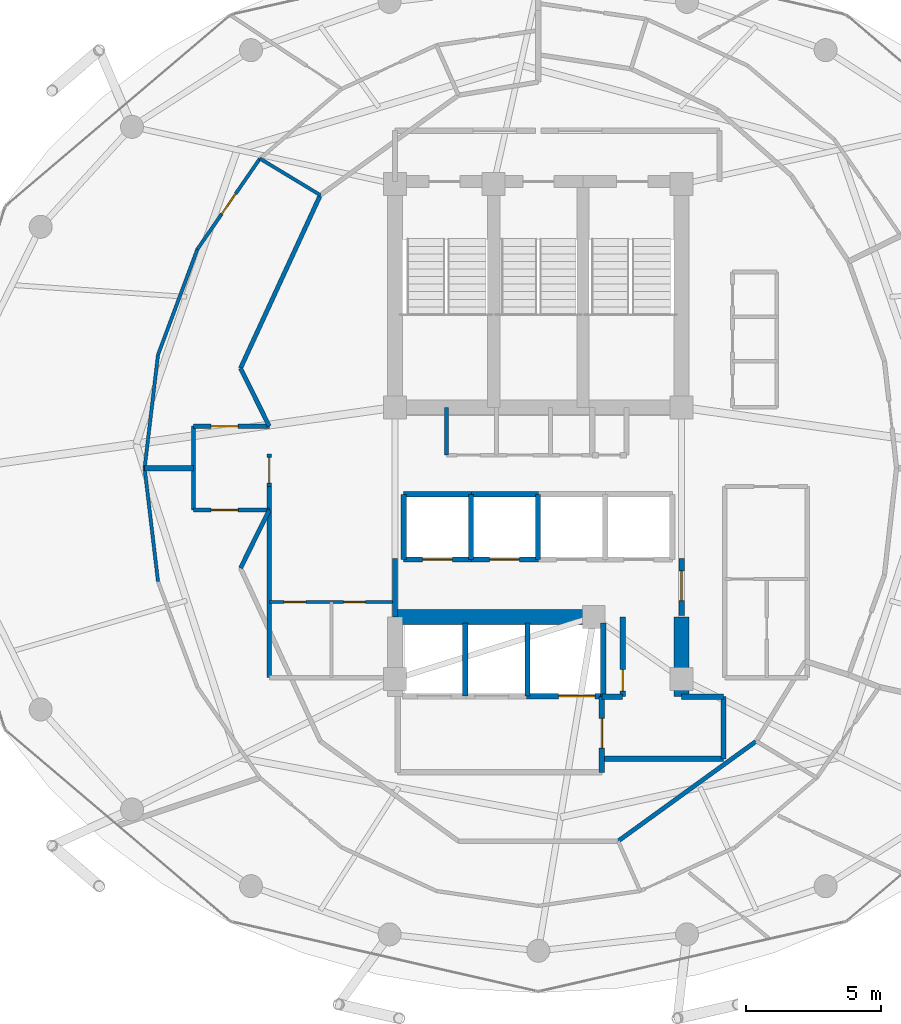
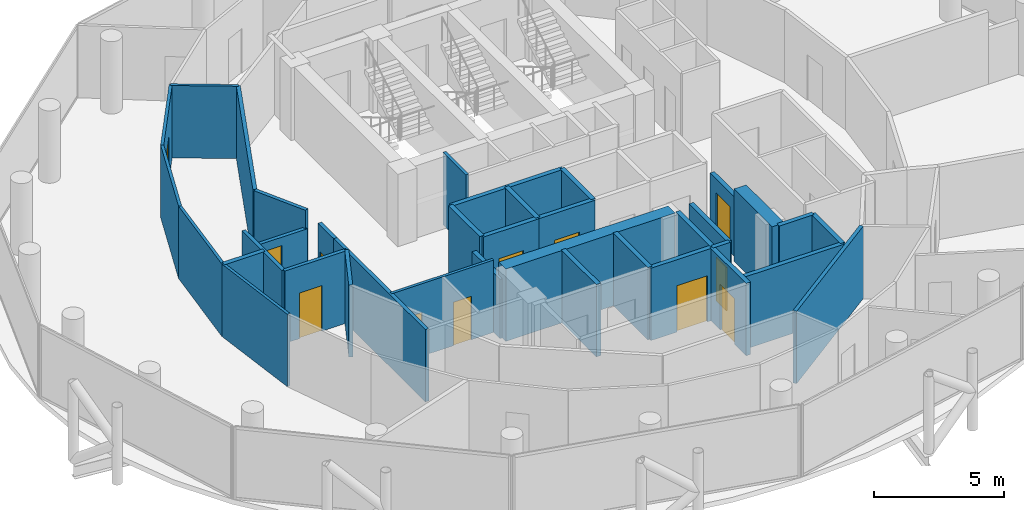
# One storey, part 23 of 27: 38 walls, 12 doors, 12 openings.
"""IFC4 building model written with IfcOpenShell, lengths in metres."""

from ifc_helpers import new_model, si_unit, direction, frame, frame_2d, origin, place, context, subcontext, project, spatial, rectangle, extrude, material, layer, layer_set, type_object, element, fill, save


model = new_model("IFC4")

# Units and contexts
model_context = context("Model", 3, precision=1e-05, world=origin(), true_north=direction((0.0, 1.0)))
body_context = subcontext(model_context, "Body", "Model", "MODEL_VIEW")
ifc_project = project(units=[si_unit("LENGTHUNIT", "METRE"), si_unit("AREAUNIT", "SQUARE_METRE"), si_unit("VOLUMEUNIT", "CUBIC_METRE"), si_unit("PLANEANGLEUNIT", "RADIAN"), si_unit("MASSUNIT", "GRAM", prefix="KILO")], contexts=[model_context])

# Site, building, storey
site_placement = place(None, origin())
site = spatial("IfcSite", under=ifc_project, at=site_placement, CompositionType="ELEMENT")
building_placement = place(site_placement, origin())
building = spatial("IfcBuilding", under=site, at=building_placement, Name="Nuhasar Tower", CompositionType="ELEMENT")
storey_placement = place(building_placement, frame((0.0, 0.0, 237.35009765625)))
storey = spatial("IfcBuildingStorey", under=building, at=storey_placement, Name="L58", CompositionType="ELEMENT", Elevation=237.35009765625)

# Walls
ifc_material_1 = material(Name="Concrete C55/67", Category="concrete")
ifc_layer_1 = layer(ifc_material_1, 0.550048828125)
ifc_layer_set_1 = layer_set([ifc_layer_1], Name="Concrete C55/67")
wall_type_1 = type_object("IfcWallType", Name="WL-CORE-550", PredefinedType="SHEAR", material=ifc_layer_set_1)
wall_1_placement = place(storey_placement, frame((44.300048828125, 18.35009765625, 0.0), z_axis=(0.0, 0.0, 1.0), x_axis=(0.0, 1.0, 0.0)))
element("IfcWall", 1, at=wall_1_placement, inside=storey, type_object=wall_type_1, Name="L58 Core Shear Wall CW-SE CW-550", PredefinedType="SHEAR", context=body_context, shape_type="SweptSolid", body=[
    extrude(rectangle(XDim=2.949951171875, YDim=0.550048828125, at=frame_2d((1.47509765625, 0.0))), origin(), (0.0, 0.0, 1.0), 3.409912109375),
])
wall_2_placement = place(storey_placement, frame((33.699951171875, 21.300048828125, 0.0), z_axis=(0.0, 0.0, 1.0), x_axis=(1.0, 0.0, 0.0)))
element("IfcWall", 2, at=wall_2_placement, inside=storey, type_object=wall_type_1, Name="L58 Core Shear Wall CW-S1 CW-550", PredefinedType="SHEAR", context=body_context, shape_type="SweptSolid", body=[
    extrude(rectangle(XDim=7.550048828125, YDim=0.550048828125, at=frame_2d((3.77490234375, 0.0))), origin(), (0.0, 0.0, 1.0), 3.409912109375),
])
ifc_material_2 = material(Name="Gypsum Board", Category="gypsum")
ifc_layer_2 = layer(ifc_material_2, 0.159912109375)
ifc_layer_set_2 = layer_set([ifc_layer_2], Name="Gypsum Board")
wall_type_2 = type_object("IfcWallType", Name="WL-CORR-160", PredefinedType="PARTITIONING", material=ifc_layer_set_2)
wall_3_placement = place(storey_placement, frame((29.050048828125, 19.050048828125, 0.0), z_axis=(0.0, 0.0, 1.0), x_axis=(0.0, 1.0, 0.0)))
element("IfcWall", 3, at=wall_3_placement, inside=storey, type_object=wall_type_2, Name="L58 Interior Partition RECL-B1-W", PredefinedType="PARTITIONING", context=body_context, shape_type="SweptSolid", body=[
    extrude(rectangle(XDim=7.070068359375, YDim=0.159912109375, at=frame_2d((3.53515625, 0.0))), origin(), (0.0, 0.0, 1.0), 3.409912109375),
])

# Wall, opening, door
wall_4_placement = place(storey_placement, frame((29.050048828125, 26.1201171875, 0.0), z_axis=(0.0, 0.0, 1.0), x_axis=(0.0, 1.0, 0.0)))
wall_4 = element("IfcWall", 4, at=wall_4_placement, inside=storey, type_object=wall_type_2, Name="L58 Interior Partition WVEST-E", PredefinedType="PARTITIONING", context=body_context, shape_type="SweptSolid", body=[
    extrude(rectangle(XDim=1.199951171875, YDim=0.159912109375, at=frame_2d((0.60009765625, 0.0))), origin(), (0.0, 0.0, 1.0), 3.409912109375),
])
opening_1_placement = place(wall_4_placement, frame((0.125, 0.0, 0.0)))
opening_1 = element("IfcOpeningElement", 5, at=opening_1_placement, cuts=wall_4, Name="Opening DO-01", PredefinedType="OPENING", context=body_context, shape_type="SweptSolid", body=[
    extrude(rectangle(XDim=0.949951171875, YDim=2.14990234375, at=frame_2d((0.47509765625, 1.074951171875))), frame((0.0, 0.08984375, 0.0), z_axis=(0.0, -1.0, 0.0), x_axis=(1.0, 0.0, 0.0)), (0.0, 0.0, 1.0), 0.179931640625),
])
ifc_material_3 = material(Name="Timber Oak", Category="wood")
door_type_1 = type_object("IfcDoorType", Name="DR-OFFICE-FD30-950", OperationType="NOTDEFINED", PredefinedType="DOOR", material=ifc_material_3)
door_1_placement = place(opening_1_placement, origin())
door_1 = element("IfcDoor", 6, at=door_1_placement, inside=storey, type_object=door_type_1, Name="L58 West Arrival Foyer Core Door", OperationType="SINGLE_SWING_RIGHT", OverallHeight=2.14990234375, OverallWidth=0.949951171875, PredefinedType="DOOR", context=body_context, shape_type="SweptSolid", body=[
    extrude(rectangle(XDim=0.949951171875, YDim=2.14990234375, at=frame_2d((0.47509765625, 1.074951171875))), frame((0.0, 0.02490234375, 0.0), z_axis=(0.0, -1.0, 0.0), x_axis=(1.0, 0.0, 0.0)), (0.0, 0.0, 1.0), 0.050048828125),
])
fill(opening_1, door_1)

# Walls
wall_5_placement = place(storey_placement, frame((30.93896484375, 36.89697265625, 0.0), z_axis=(0.0, 0.0, 1.0), x_axis=(-0.41866934876, -0.908138742929, 0.0)))
element("IfcWall", 7, at=wall_5_placement, inside=storey, type_object=wall_type_2, Name="L58 Interior Partition UWEST-CORE-N2-18", PredefinedType="PARTITIONING", context=body_context, shape_type="SweptSolid", body=[
    extrude(rectangle(XDim=7.04833984375, YDim=0.159912109375, at=frame_2d((3.524169921875, 0.0))), origin(), (0.0, 0.0, 1.0), 3.409912109375),
])
wall_6_placement = place(storey_placement, frame((41.950927734375, 13.007080078125, 0.0), z_axis=(0.0, 0.0, 1.0), x_axis=(0.810290119061, 0.586028943784, 0.0)))
element("IfcWall", 8, at=wall_6_placement, inside=storey, type_object=wall_type_2, Name="L58 Interior Partition UWEST-CORE-S1-38", PredefinedType="PARTITIONING", context=body_context, shape_type="SweptSolid", body=[
    extrude(rectangle(XDim=6.306396484375, YDim=0.159912109375, at=frame_2d((3.1533203125, 0.0))), origin(), (0.0, 0.0, 1.0), 3.409912109375),
])

# Wall, opening, door
wall_7_placement = place(storey_placement, frame((26.25, 28.35009765625, 0.0), z_axis=(0.0, 0.0, 1.0), x_axis=(1.0, 0.0, 0.0)))
wall_7 = element("IfcWall", 9, at=wall_7_placement, inside=storey, type_object=wall_type_2, Name="L58 Interior Partition WVEST-N", PredefinedType="PARTITIONING", context=body_context, shape_type="SweptSolid", body=[
    extrude(rectangle(XDim=2.800048828125, YDim=0.159912109375, at=frame_2d((1.39990234375, 0.0))), origin(), (0.0, 0.0, 1.0), 2.5498046875),
])
opening_2_placement = place(wall_7_placement, frame((0.64990234375, 0.0, 0.0)))
opening_2 = element("IfcOpeningElement", 10, at=opening_2_placement, cuts=wall_7, Name="Opening DU-02", PredefinedType="OPENING", context=body_context, shape_type="SweptSolid", body=[
    extrude(rectangle(XDim=1.0, YDim=2.14990234375, at=frame_2d((0.5, 1.074951171875))), frame((0.0, 0.08984375, 0.0), z_axis=(0.0, -1.0, 0.0), x_axis=(1.0, 0.0, 0.0)), (0.0, 0.0, 1.0), 0.179931640625),
])
door_type_2 = type_object("IfcDoorType", Name="DR-FLAT-FD60-1000", OperationType="NOTDEFINED", PredefinedType="DOOR", material=ifc_material_3)
door_2_placement = place(opening_2_placement, origin())
door_2 = element("IfcDoor", 11, at=door_2_placement, inside=storey, type_object=door_type_2, Name="L58 North-West Sky Home Entrance", OperationType="SINGLE_SWING_LEFT", OverallHeight=2.14990234375, OverallWidth=1.0, PredefinedType="DOOR", context=body_context, shape_type="SweptSolid", body=[
    extrude(rectangle(XDim=1.0, YDim=2.14990234375, at=frame_2d((0.5, 1.074951171875))), frame((0.0, 0.02490234375, 0.0), z_axis=(0.0, -1.0, 0.0), x_axis=(1.0, 0.0, 0.0)), (0.0, 0.0, 1.0), 0.050048828125),
])
fill(opening_2, door_2)

wall_8_placement = place(storey_placement, frame((26.25, 25.25, 0.0), z_axis=(0.0, 0.0, 1.0), x_axis=(1.0, 0.0, 0.0)))
wall_8 = element("IfcWall", 12, at=wall_8_placement, inside=storey, type_object=wall_type_2, Name="L58 Interior Partition WVEST-S", PredefinedType="PARTITIONING", context=body_context, shape_type="SweptSolid", body=[
    extrude(rectangle(XDim=2.800048828125, YDim=0.159912109375, at=frame_2d((1.39990234375, 0.0))), origin(), (0.0, 0.0, 1.0), 3.409912109375),
])
opening_3_placement = place(wall_8_placement, frame((0.64990234375, 0.0, 0.0)))
opening_3 = element("IfcOpeningElement", 13, at=opening_3_placement, cuts=wall_8, Name="Opening DU-02", PredefinedType="OPENING", context=body_context, shape_type="SweptSolid", body=[
    extrude(rectangle(XDim=1.0, YDim=2.14990234375, at=frame_2d((0.5, 1.074951171875))), frame((0.0, 0.08984375, 0.0), z_axis=(0.0, -1.0, 0.0), x_axis=(1.0, 0.0, 0.0)), (0.0, 0.0, 1.0), 0.179931640625),
])
door_3_placement = place(opening_3_placement, origin())
door_3 = element("IfcDoor", 14, at=door_3_placement, inside=storey, type_object=door_type_2, Name="L58 South-West Sky Home Entrance", OperationType="SINGLE_SWING_LEFT", OverallHeight=2.14990234375, OverallWidth=1.0, PredefinedType="DOOR", context=body_context, shape_type="SweptSolid", body=[
    extrude(rectangle(XDim=1.0, YDim=2.14990234375, at=frame_2d((0.5, 1.074951171875))), frame((0.0, 0.02490234375, 0.0), z_axis=(0.0, -1.0, 0.0), x_axis=(1.0, 0.0, 0.0)), (0.0, 0.0, 1.0), 0.050048828125),
])
fill(opening_3, door_3)

# Walls
wall_9_placement = place(storey_placement, frame((26.25, 25.25, 0.0), z_axis=(0.0, 0.0, 1.0), x_axis=(0.0, 1.0, 0.0)))
element("IfcWall", 15, at=wall_9_placement, inside=storey, type_object=wall_type_2, Name="L58 Interior Partition WVEST-W", PredefinedType="PARTITIONING", context=body_context, shape_type="SweptSolid", body=[
    extrude(rectangle(XDim=3.10009765625, YDim=0.159912109375, at=frame_2d((1.550048828125, 0.0))), origin(), (0.0, 0.0, 1.0), 3.409912109375),
])
for number, where, z_axis, x_axis, name in (
    (16, (27.988037109375, 30.49609375, 0.0), (0.0, 0.0, 1.0), (0.443539160525, -0.896254993337, 0.0), "L58 Interior Partition WVEST-CN"),
    (17, (27.988037109375, 23.10400390625, 0.0), (0.0, 0.0, 1.0), (0.443539160525, 0.896254993337, 0.0), "L58 Interior Partition WVEST-CS"),
):
    element("IfcWall", number, at=place(storey_placement, frame(where, z_axis=z_axis, x_axis=x_axis)), inside=storey, type_object=wall_type_2, Name=name, PredefinedType="PARTITIONING", context=body_context, shape_type="SweptSolid", body=[
        extrude(rectangle(XDim=2.394287109375, YDim=0.159912109375, at=frame_2d((1.197265625, 0.0))), origin(), (0.0, 0.0, 1.0), 3.409912109375),
    ])
ifc_material_4 = material(Name="Concrete C45/55", Category="concrete")
ifc_layer_3 = layer(ifc_material_4, 0.199951171875)
ifc_layer_set_3 = layer_set([ifc_layer_3], Name="Concrete C45/55")
wall_type_3 = type_object("IfcWallType", Name="WL-LOBBY-200", PredefinedType="SOLIDWALL", material=ifc_layer_set_3)
wall_10_placement = place(storey_placement, frame((33.699951171875, 21.300048828125, 0.0), z_axis=(0.0, 0.0, 1.0), x_axis=(0.0, 1.0, 0.0)))
element("IfcWall", 18, at=wall_10_placement, inside=storey, type_object=wall_type_3, Name="L58 Interior Partition LLBH-W", PredefinedType="SOLIDWALL", context=body_context, shape_type="SweptSolid", body=[
    extrude(rectangle(XDim=2.14990234375, YDim=0.199951171875, at=frame_2d((1.074951171875, 0.0))), origin(), (0.0, 0.0, 1.0), 2.794921875),
])

# Wall, opening, door
wall_11_placement = place(storey_placement, frame((44.300048828125, 21.35009765625, 0.0), z_axis=(0.0, 0.0, 1.0), x_axis=(0.0, 1.0, 0.0)))
wall_11 = element("IfcWall", 19, at=wall_11_placement, inside=storey, type_object=wall_type_3, Name="L58 Interior Partition LLBH-E", PredefinedType="SOLIDWALL", context=body_context, shape_type="SweptSolid", body=[
    extrude(rectangle(XDim=2.099853515625, YDim=0.199951171875, at=frame_2d((1.0498046875, 0.0))), origin(), (0.0, 0.0, 1.0), 2.794921875),
])
opening_4_placement = place(wall_11_placement, frame((0.550048828125, 0.0, 0.0)))
opening_4 = element("IfcOpeningElement", 20, at=opening_4_placement, cuts=wall_11, Name="Opening DS-02", PredefinedType="OPENING", context=body_context, shape_type="SweptSolid", body=[
    extrude(rectangle(XDim=1.10009765625, YDim=2.14990234375, at=frame_2d((0.550048828125, 1.074951171875))), frame((0.0, 0.10986328125, 0.0), z_axis=(0.0, -1.0, 0.0), x_axis=(1.0, 0.0, 0.0)), (0.0, 0.0, 1.0), 0.219970703125),
])
ifc_material_5 = material(Name="Steel S355", Category="steel")
door_type_3 = type_object("IfcDoorType", Name="DR-FFL-FD120-1100", OperationType="NOTDEFINED", PredefinedType="DOOR", material=ifc_material_5)
door_4_placement = place(opening_4_placement, origin())
door_4 = element("IfcDoor", 21, at=door_4_placement, inside=storey, type_object=door_type_3, Name="L58 High-Rise Lobby East Door", OperationType="SINGLE_SWING_RIGHT", OverallHeight=2.14990234375, OverallWidth=1.10009765625, PredefinedType="DOOR", context=body_context, shape_type="SweptSolid", body=[
    extrude(rectangle(XDim=1.10009765625, YDim=2.14990234375, at=frame_2d((0.550048828125, 1.074951171875))), frame((0.0, 0.02490234375, 0.0), z_axis=(0.0, -1.0, 0.0), x_axis=(1.0, 0.0, 0.0)), (0.0, 0.0, 1.0), 0.050048828125),
])
fill(opening_4, door_4)

wall_12_placement = place(storey_placement, frame((41.35009765625, 15.550048828125, 0.0), z_axis=(0.0, 0.0, 1.0), x_axis=(0.0, 1.0, 0.0)))
wall_12 = element("IfcWall", 22, at=wall_12_placement, inside=storey, type_object=wall_type_3, Name="L58 Interior Partition FFL-E", PredefinedType="SOLIDWALL", context=body_context, shape_type="SweptSolid", body=[
    extrude(rectangle(XDim=2.800048828125, YDim=0.199951171875, at=frame_2d((1.39990234375, 0.0))), origin(), (0.0, 0.0, 1.0), 3.409912109375),
])
opening_5_placement = place(wall_12_placement, frame((0.89990234375, 0.0, 0.0)))
opening_5 = element("IfcOpeningElement", 23, at=opening_5_placement, cuts=wall_12, Name="Opening DS-02", PredefinedType="OPENING", context=body_context, shape_type="SweptSolid", body=[
    extrude(rectangle(XDim=1.10009765625, YDim=2.14990234375, at=frame_2d((0.550048828125, 1.074951171875))), frame((0.0, 0.10986328125, 0.0), z_axis=(0.0, -1.0, 0.0), x_axis=(1.0, 0.0, 0.0)), (0.0, 0.0, 1.0), 0.219970703125),
])
door_5_placement = place(opening_5_placement, origin())
door_5 = element("IfcDoor", 24, at=door_5_placement, inside=storey, type_object=door_type_3, Name="L58 Firefighting Lobby Door", OperationType="SINGLE_SWING_RIGHT", OverallHeight=2.14990234375, OverallWidth=1.10009765625, PredefinedType="DOOR", context=body_context, shape_type="SweptSolid", body=[
    extrude(rectangle(XDim=1.10009765625, YDim=2.14990234375, at=frame_2d((0.550048828125, 1.074951171875))), frame((0.0, 0.02490234375, 0.0), z_axis=(0.0, -1.0, 0.0), x_axis=(1.0, 0.0, 0.0)), (0.0, 0.0, 1.0), 0.050048828125),
])
fill(opening_5, door_5)

# Walls
wall_13_placement = place(storey_placement, frame((41.35009765625, 16.050048828125, 0.0), z_axis=(0.0, 0.0, 1.0), x_axis=(1.0, 0.0, 0.0)))
element("IfcWall", 25, at=wall_13_placement, inside=storey, type_object=wall_type_3, Name="L58 Interior Partition SVLV-S", PredefinedType="SOLIDWALL", context=body_context, shape_type="SweptSolid", body=[
    extrude(rectangle(XDim=4.5, YDim=0.199951171875, at=frame_2d((2.25, 0.0))), origin(), (0.0, 0.0, 1.0), 3.409912109375),
])
wall_14_placement = place(storey_placement, frame((45.85009765625, 16.050048828125, 0.0), z_axis=(0.0, 0.0, 1.0), x_axis=(0.0, 1.0, 0.0)))
element("IfcWall", 26, at=wall_14_placement, inside=storey, type_object=wall_type_3, Name="L58 Interior Partition SVLV-E", PredefinedType="SOLIDWALL", context=body_context, shape_type="SweptSolid", body=[
    extrude(rectangle(XDim=2.300048828125, YDim=0.199951171875, at=frame_2d((1.14990234375, 0.0))), origin(), (0.0, 0.0, 1.0), 3.409912109375),
])
wall_15_placement = place(storey_placement, frame((44.300048828125, 18.35009765625, 0.0), z_axis=(0.0, 0.0, 1.0), x_axis=(1.0, 0.0, 0.0)))
element("IfcWall", 27, at=wall_15_placement, inside=storey, type_object=wall_type_3, Name="L58 Interior Partition SVLV-N", PredefinedType="SOLIDWALL", context=body_context, shape_type="SweptSolid", body=[
    extrude(rectangle(XDim=1.550048828125, YDim=0.199951171875, at=frame_2d((0.77490234375, 0.0))), origin(), (0.0, 0.0, 1.0), 3.409912109375),
])

# Wall, openings, doors
ifc_layer_4 = layer(ifc_material_2, 0.125)
ifc_layer_set_4 = layer_set([ifc_layer_4], Name="Gypsum Board")
wall_type_4 = type_object("IfcWallType", Name="WL-PART-125", PredefinedType="PARTITIONING", material=ifc_layer_set_4)
wall_16_placement = place(storey_placement, frame((33.60009765625, 21.85009765625, 0.0), z_axis=(0.0, 0.0, 1.0), x_axis=(-1.0, 0.0, 0.0)))
wall_16 = element("IfcWall", 28, at=wall_16_placement, inside=storey, type_object=wall_type_4, Name="L58 Interior Partition HKPK1-N", PredefinedType="PARTITIONING", context=body_context, shape_type="SweptSolid", body=[
    extrude(rectangle(XDim=4.550048828125, YDim=0.125, at=frame_2d((2.27490234375, 0.0))), origin(), (0.0, 0.0, 1.0), 3.409912109375),
])
opening_6_placement = place(wall_16_placement, frame((3.199951171875, 0.0, 0.0)))
opening_6 = element("IfcOpeningElement", 29, at=opening_6_placement, cuts=wall_16, Name="Opening DM-01", PredefinedType="OPENING", context=body_context, shape_type="SweptSolid", body=[
    extrude(rectangle(XDim=0.800048828125, YDim=2.050048828125, at=frame_2d((0.39990234375, 1.02490234375))), frame((0.0, 0.072509765625, 0.0), z_axis=(0.0, -1.0, 0.0), x_axis=(1.0, 0.0, 0.0)), (0.0, 0.0, 1.0), 0.14501953125),
])
opening_7_placement = place(wall_16_placement, frame((1.0, 0.0, 0.0)))
opening_7 = element("IfcOpeningElement", 30, at=opening_7_placement, cuts=wall_16, Name="Opening DM-01", PredefinedType="OPENING", context=body_context, shape_type="SweptSolid", body=[
    extrude(rectangle(XDim=0.800048828125, YDim=2.050048828125, at=frame_2d((0.39990234375, 1.02490234375))), frame((0.0, 0.072509765625, 0.0), z_axis=(0.0, -1.0, 0.0), x_axis=(1.0, 0.0, 0.0)), (0.0, 0.0, 1.0), 0.14501953125),
])
door_type_4 = type_object("IfcDoorType", Name="DR-RISER-FD60-800", OperationType="NOTDEFINED", PredefinedType="DOOR", material=ifc_material_5)
door_6_placement = place(opening_6_placement, origin())
door_6 = element("IfcDoor", 31, at=door_6_placement, inside=storey, type_object=door_type_4, Name="L58 Housekeeping Closet Door", OperationType="SINGLE_SWING_RIGHT", OverallHeight=2.050048828125, OverallWidth=0.800048828125, PredefinedType="DOOR", context=body_context, shape_type="SweptSolid", body=[
    extrude(rectangle(XDim=0.800048828125, YDim=2.050048828125, at=frame_2d((0.39990234375, 1.02490234375))), frame((0.0, 0.02490234375, 0.0), z_axis=(0.0, -1.0, 0.0), x_axis=(1.0, 0.0, 0.0)), (0.0, 0.0, 1.0), 0.050048828125),
])
fill(opening_6, door_6)
door_7_placement = place(opening_7_placement, origin())
door_7 = element("IfcDoor", 32, at=door_7_placement, inside=storey, type_object=door_type_4, Name="L58 Linen Store Door", OperationType="SINGLE_SWING_LEFT", OverallHeight=2.050048828125, OverallWidth=0.800048828125, PredefinedType="DOOR", context=body_context, shape_type="SweptSolid", body=[
    extrude(rectangle(XDim=0.800048828125, YDim=2.050048828125, at=frame_2d((0.39990234375, 1.02490234375))), frame((0.0, 0.02490234375, 0.0), z_axis=(0.0, -1.0, 0.0), x_axis=(1.0, 0.0, 0.0)), (0.0, 0.0, 1.0), 0.050048828125),
])
fill(opening_7, door_7)

# Wall
wall_17_placement = place(storey_placement, frame((30.93896484375, 36.89697265625, 0.0), z_axis=(0.0, 0.0, 1.0), x_axis=(-0.855672275727, 0.517518073647, 0.0)))
element("IfcWall", 33, at=wall_17_placement, inside=storey, type_object=wall_type_4, Name="L58 Interior Partition USI-1-KD", PredefinedType="PARTITIONING", context=body_context, shape_type="SweptSolid", body=[
    extrude(rectangle(XDim=2.610595703125, YDim=0.125, at=frame_2d((1.30517578125, 0.0))), origin(), (0.0, 0.0, 1.0), 3.409912109375),
])

# Wall, opening, door
wall_18_placement = place(storey_placement, frame((26.39111328125, 34.89501953125, 0.0), z_axis=(0.0, 0.0, 1.0), x_axis=(0.567987799291, 0.823036973566, 0.0)))
wall_18 = element("IfcWall", 34, at=wall_18_placement, inside=storey, type_object=wall_type_4, Name="L58 Interior Partition USM-1-D-18", PredefinedType="PARTITIONING", context=body_context, shape_type="SweptSolid", body=[
    extrude(rectangle(XDim=4.073974609375, YDim=0.125, at=frame_2d((2.037109375, 0.0))), origin(), (0.0, 0.0, 1.0), 3.409912109375),
])
opening_8_placement = place(wall_18_placement, frame((1.5869140625, 0.0, 0.0)))
opening_8 = element("IfcOpeningElement", 35, at=opening_8_placement, cuts=wall_18, Name="Opening DR-01", PredefinedType="OPENING", context=body_context, shape_type="SweptSolid", body=[
    extrude(rectangle(XDim=0.89990234375, YDim=2.10009765625, at=frame_2d((0.449951171875, 1.050048828125))), frame((0.0, 0.072509765625, 0.0), z_axis=(0.0, -1.0, 0.0), x_axis=(1.0, 0.0, 0.0)), (0.0, 0.0, 1.0), 0.14501953125),
])
door_type_5 = type_object("IfcDoorType", Name="DR-ROOM-900", OperationType="NOTDEFINED", PredefinedType="DOOR", material=ifc_material_3)
door_8_placement = place(opening_8_placement, origin())
door_8 = element("IfcDoor", 36, at=door_8_placement, inside=storey, type_object=door_type_5, Name="L58 North-West Sky Home Living Door", OperationType="SINGLE_SWING_LEFT", OverallHeight=2.10009765625, OverallWidth=0.89990234375, PredefinedType="DOOR", context=body_context, shape_type="SweptSolid", body=[
    extrude(rectangle(XDim=0.89990234375, YDim=2.10009765625, at=frame_2d((0.449951171875, 1.050048828125))), frame((0.0, 0.02490234375, 0.0), z_axis=(0.0, -1.0, 0.0), x_axis=(1.0, 0.0, 0.0)), (0.0, 0.0, 1.0), 0.050048828125),
])
fill(opening_8, door_8)

# Walls
wall_19_placement = place(storey_placement, frame((26.39111328125, 34.89501953125, 0.0), z_axis=(0.0, 0.0, 1.0), x_axis=(-0.349164501946, -0.9370614444, 0.0)))
element("IfcWall", 37, at=wall_19_placement, inside=storey, type_object=wall_type_4, Name="L58 Interior Partition USM-1-D-20", PredefinedType="PARTITIONING", context=body_context, shape_type="SweptSolid", body=[
    extrude(rectangle(XDim=4.167236328125, YDim=0.125, at=frame_2d((2.08349609375, 0.0))), origin(), (0.0, 0.0, 1.0), 3.409912109375),
])
for number, where, z_axis, x_axis, name in (
    (38, (24.93603515625, 30.989990234375, 0.0), (0.0, 0.0, 1.0), (-0.117579821671, -0.9930634348, 0.0), "L58 Interior Partition USM-1-D-22"),
    (39, (24.43994140625, 26.800048828125, 0.0), (0.0, 0.0, 1.0), (0.117579821671, -0.9930634348, 0.0), "L58 Interior Partition USM-1-D-24"),
):
    element("IfcWall", number, at=place(storey_placement, frame(where, z_axis=z_axis, x_axis=x_axis)), inside=storey, type_object=wall_type_4, Name=name, PredefinedType="PARTITIONING", context=body_context, shape_type="SweptSolid", body=[
        extrude(rectangle(XDim=4.21923828125, YDim=0.125, at=frame_2d((2.109619140625, 0.0))), origin(), (0.0, 0.0, 1.0), 3.409912109375),
    ])

# Wall, opening, door
ifc_layer_5 = layer(ifc_material_4, 0.199951171875)
ifc_layer_set_5 = layer_set([ifc_layer_5], Name="Concrete C45/55")
wall_type_5 = type_object("IfcWallType", Name="WL-SHAFT-200", PredefinedType="SOLIDWALL", material=ifc_layer_set_5)
wall_20_placement = place(storey_placement, frame((34.02001953125, 23.419921875, 0.0), z_axis=(0.0, 0.0, 1.0), x_axis=(1.0, 0.0, 0.0)))
wall_20 = element("IfcWall", 40, at=wall_20_placement, inside=storey, type_object=wall_type_5, Name="L58 Interior Partition SHF-PL-H01-S", PredefinedType="SOLIDWALL", context=body_context, shape_type="SweptSolid", body=[
    extrude(rectangle(XDim=2.5, YDim=0.199951171875, at=frame_2d((1.25, 0.0))), origin(), (0.0, 0.0, 1.0), 3.409912109375),
])
opening_9_placement = place(wall_20_placement, frame((0.699951171875, 0.0, 0.0)))
opening_9 = element("IfcOpeningElement", 41, at=opening_9_placement, cuts=wall_20, Name="Opening LD-H01", PredefinedType="OPENING", context=body_context, shape_type="SweptSolid", body=[
    extrude(rectangle(XDim=1.10009765625, YDim=2.14990234375, at=frame_2d((0.550048828125, 1.074951171875))), frame((0.0, 0.10986328125, 0.0), z_axis=(0.0, -1.0, 0.0), x_axis=(1.0, 0.0, 0.0)), (0.0, 0.0, 1.0), 0.219970703125),
])
ifc_material_6 = material(Name="Stainless Steel 316L", Category="steel")
door_type_6 = type_object("IfcDoorType", Name="LD-PAX-1100", OperationType="DOUBLE_DOOR_SLIDING", PredefinedType="DOOR", material=ifc_material_6)
door_9_placement = place(opening_9_placement, origin())
door_9 = element("IfcDoor", 42, at=door_9_placement, inside=storey, type_object=door_type_6, Name="L58 Lift Landing Door PL-H01", OperationType="DOUBLE_DOOR_SLIDING", OverallHeight=2.14990234375, OverallWidth=1.10009765625, PredefinedType="DOOR", context=body_context, shape_type="SweptSolid", body=[
    extrude(rectangle(XDim=1.10009765625, YDim=2.14990234375, at=frame_2d((0.550048828125, 1.074951171875))), frame((0.0, 0.02490234375, 0.0), z_axis=(0.0, -1.0, 0.0), x_axis=(1.0, 0.0, 0.0)), (0.0, 0.0, 1.0), 0.050048828125),
])
fill(opening_9, door_9)

# Walls
wall_21_placement = place(storey_placement, frame((34.02001953125, 25.830078125, 0.0), z_axis=(0.0, 0.0, 1.0), x_axis=(1.0, 0.0, 0.0)))
element("IfcWall", 43, at=wall_21_placement, inside=storey, type_object=wall_type_5, Name="L58 Interior Partition SHF-PL-H01-N", PredefinedType="SOLIDWALL", context=body_context, shape_type="SweptSolid", body=[
    extrude(rectangle(XDim=2.5, YDim=0.199951171875, at=frame_2d((1.25, 0.0))), origin(), (0.0, 0.0, 1.0), 3.409912109375),
])
for number, where, z_axis, x_axis, name in (
    (44, (34.02001953125, 23.419921875, 0.0), (0.0, 0.0, 1.0), (0.0, 1.0, 0.0), "L58 Interior Partition SHF-PL-H01-W"),
    (45, (36.510009765625, 23.419921875, 0.0), (0.0, 0.0, 1.0), (0.0, 1.0, 0.0), "L58 Interior Partition SHF-PL-H01-E"),
):
    element("IfcWall", number, at=place(storey_placement, frame(where, z_axis=z_axis, x_axis=x_axis)), inside=storey, type_object=wall_type_5, Name=name, PredefinedType="SOLIDWALL", context=body_context, shape_type="SweptSolid", body=[
        extrude(rectangle(XDim=2.41015625, YDim=0.199951171875, at=frame_2d((1.205078125, 0.0))), origin(), (0.0, 0.0, 1.0), 3.409912109375),
    ])

# Wall, opening, door
wall_22_placement = place(storey_placement, frame((36.5, 23.419921875, 0.0), z_axis=(0.0, 0.0, 1.0), x_axis=(1.0, 0.0, 0.0)))
wall_22 = element("IfcWall", 46, at=wall_22_placement, inside=storey, type_object=wall_type_5, Name="L58 Interior Partition SHF-PL-H02-S", PredefinedType="SOLIDWALL", context=body_context, shape_type="SweptSolid", body=[
    extrude(rectangle(XDim=2.5, YDim=0.199951171875, at=frame_2d((1.25, 0.0))), origin(), (0.0, 0.0, 1.0), 3.409912109375),
])
opening_10_placement = place(wall_22_placement, frame((0.699951171875, 0.0, 0.0)))
opening_10 = element("IfcOpeningElement", 47, at=opening_10_placement, cuts=wall_22, Name="Opening LD-H02", PredefinedType="OPENING", context=body_context, shape_type="SweptSolid", body=[
    extrude(rectangle(XDim=1.10009765625, YDim=2.14990234375, at=frame_2d((0.550048828125, 1.074951171875))), frame((0.0, 0.10986328125, 0.0), z_axis=(0.0, -1.0, 0.0), x_axis=(1.0, 0.0, 0.0)), (0.0, 0.0, 1.0), 0.219970703125),
])
door_10_placement = place(opening_10_placement, origin())
door_10 = element("IfcDoor", 48, at=door_10_placement, inside=storey, type_object=door_type_6, Name="L58 Lift Landing Door PL-H02", OperationType="DOUBLE_DOOR_SLIDING", OverallHeight=2.14990234375, OverallWidth=1.10009765625, PredefinedType="DOOR", context=body_context, shape_type="SweptSolid", body=[
    extrude(rectangle(XDim=1.10009765625, YDim=2.14990234375, at=frame_2d((0.550048828125, 1.074951171875))), frame((0.0, 0.02490234375, 0.0), z_axis=(0.0, -1.0, 0.0), x_axis=(1.0, 0.0, 0.0)), (0.0, 0.0, 1.0), 0.050048828125),
])
fill(opening_10, door_10)

# Walls
wall_23_placement = place(storey_placement, frame((36.5, 25.830078125, 0.0), z_axis=(0.0, 0.0, 1.0), x_axis=(1.0, 0.0, 0.0)))
element("IfcWall", 49, at=wall_23_placement, inside=storey, type_object=wall_type_5, Name="L58 Interior Partition SHF-PL-H02-N", PredefinedType="SOLIDWALL", context=body_context, shape_type="SweptSolid", body=[
    extrude(rectangle(XDim=2.5, YDim=0.199951171875, at=frame_2d((1.25, 0.0))), origin(), (0.0, 0.0, 1.0), 3.409912109375),
])
wall_24_placement = place(storey_placement, frame((38.989990234375, 23.419921875, 0.0), z_axis=(0.0, 0.0, 1.0), x_axis=(0.0, 1.0, 0.0)))
element("IfcWall", 50, at=wall_24_placement, inside=storey, type_object=wall_type_5, Name="L58 Interior Partition SHF-PL-H02-E", PredefinedType="SOLIDWALL", context=body_context, shape_type="SweptSolid", body=[
    extrude(rectangle(XDim=2.41015625, YDim=0.199951171875, at=frame_2d((1.205078125, 0.0))), origin(), (0.0, 0.0, 1.0), 3.409912109375),
])
for number, where, z_axis, x_axis, name in (
    (51, (36.300048828125, 18.3701171875, 0.0), (0.0, 0.0, 1.0), (0.0, 1.0, 0.0), "L58 Interior Partition SHF-FFL-01-E"),
    (52, (38.60009765625, 18.3701171875, 0.0), (0.0, 0.0, 1.0), (0.0, 1.0, 0.0), "L58 Interior Partition SHF-FFL-02-E"),
):
    element("IfcWall", number, at=place(storey_placement, frame(where, z_axis=z_axis, x_axis=x_axis)), inside=storey, type_object=wall_type_5, Name=name, PredefinedType="SOLIDWALL", context=body_context, shape_type="SweptSolid", body=[
        extrude(rectangle(XDim=2.7099609375, YDim=0.199951171875, at=frame_2d((1.35498046875, 0.0))), origin(), (0.0, 0.0, 1.0), 3.409912109375),
    ])

# Wall, opening, door
wall_25_placement = place(storey_placement, frame((38.570068359375, 18.3701171875, 0.0), z_axis=(0.0, 0.0, 1.0), x_axis=(1.0, 0.0, 0.0)))
wall_25 = element("IfcWall", 53, at=wall_25_placement, inside=storey, type_object=wall_type_5, Name="L58 Interior Partition SHF-SVL-01-S", PredefinedType="SOLIDWALL", context=body_context, shape_type="SweptSolid", body=[
    extrude(rectangle(XDim=2.829833984375, YDim=0.199951171875, at=frame_2d((1.4150390625, 0.0))), origin(), (0.0, 0.0, 1.0), 3.409912109375),
])
opening_11_placement = place(wall_25_placement, frame((1.179931640625, 0.0, 0.0)))
opening_11 = element("IfcOpeningElement", 54, at=opening_11_placement, cuts=wall_25, Name="Opening LD-S01", PredefinedType="OPENING", context=body_context, shape_type="SweptSolid", body=[
    extrude(rectangle(XDim=1.35009765625, YDim=2.179931640625, at=frame_2d((0.675048828125, 1.08984375))), frame((0.0, 0.10986328125, 0.0), z_axis=(0.0, -1.0, 0.0), x_axis=(1.0, 0.0, 0.0)), (0.0, 0.0, 1.0), 0.219970703125),
])
door_type_7 = type_object("IfcDoorType", Name="LD-SVL-1350", OperationType="DOUBLE_DOOR_SLIDING", PredefinedType="DOOR", material=ifc_material_6)
door_11_placement = place(opening_11_placement, origin())
door_11 = element("IfcDoor", 55, at=door_11_placement, inside=storey, type_object=door_type_7, Name="L58 Lift Landing Door SVL-01", OperationType="DOUBLE_DOOR_SLIDING", OverallHeight=2.179931640625, OverallWidth=1.35009765625, PredefinedType="DOOR", context=body_context, shape_type="SweptSolid", body=[
    extrude(rectangle(XDim=1.35009765625, YDim=2.179931640625, at=frame_2d((0.675048828125, 1.08984375))), frame((0.0, 0.02490234375, 0.0), z_axis=(0.0, -1.0, 0.0), x_axis=(1.0, 0.0, 0.0)), (0.0, 0.0, 1.0), 0.050048828125),
])
fill(opening_11, door_11)

# Wall
wall_26_placement = place(storey_placement, frame((41.39990234375, 18.3701171875, 0.0), z_axis=(0.0, 0.0, 1.0), x_axis=(0.0, 1.0, 0.0)))
element("IfcWall", 56, at=wall_26_placement, inside=storey, type_object=wall_type_5, Name="L58 Interior Partition SHF-SVL-01-E", PredefinedType="SOLIDWALL", context=body_context, shape_type="SweptSolid", body=[
    extrude(rectangle(XDim=2.7099609375, YDim=0.199951171875, at=frame_2d((1.35498046875, 0.0))), origin(), (0.0, 0.0, 1.0), 3.409912109375),
])

# Wall, opening, door
wall_27_placement = place(storey_placement, frame((42.1201171875, 18.35009765625, 0.0), z_axis=(0.0, 0.0, 1.0), x_axis=(0.0, 1.0, 0.0)))
wall_27 = element("IfcWall", 57, at=wall_27_placement, inside=storey, type_object=wall_type_5, Name="L58 Interior Partition RSR-E", PredefinedType="SOLIDWALL", context=body_context, shape_type="SweptSolid", body=[
    extrude(rectangle(XDim=2.949951171875, YDim=0.199951171875, at=frame_2d((1.47509765625, 0.0))), origin(), (0.0, 0.0, 1.0), 3.409912109375),
])
opening_12_placement = place(wall_27_placement, frame((0.199951171875, 0.0, 0.0)))
opening_12 = element("IfcOpeningElement", 58, at=opening_12_placement, cuts=wall_27, Name="Opening DM-01", PredefinedType="OPENING", context=body_context, shape_type="SweptSolid", body=[
    extrude(rectangle(XDim=0.800048828125, YDim=2.050048828125, at=frame_2d((0.39990234375, 1.02490234375))), frame((0.0, 0.10986328125, 0.0), z_axis=(0.0, -1.0, 0.0), x_axis=(1.0, 0.0, 0.0)), (0.0, 0.0, 1.0), 0.219970703125),
])
door_12_placement = place(opening_12_placement, origin())
door_12 = element("IfcDoor", 59, at=door_12_placement, inside=storey, type_object=door_type_4, Name="L58 MEP Riser Access Door", OperationType="SINGLE_SWING_LEFT", OverallHeight=2.050048828125, OverallWidth=0.800048828125, PredefinedType="DOOR", context=body_context, shape_type="SweptSolid", body=[
    extrude(rectangle(XDim=0.800048828125, YDim=2.050048828125, at=frame_2d((0.39990234375, 1.02490234375))), frame((0.0, 0.02490234375, 0.0), z_axis=(0.0, -1.0, 0.0), x_axis=(1.0, 0.0, 0.0)), (0.0, 0.0, 1.0), 0.050048828125),
])
fill(opening_12, door_12)

# Walls
wall_28_placement = place(storey_placement, frame((41.35009765625, 18.35009765625, 0.0), z_axis=(0.0, 0.0, 1.0), x_axis=(1.0, 0.0, 0.0)))
element("IfcWall", 60, at=wall_28_placement, inside=storey, type_object=wall_type_5, Name="L58 Interior Partition RSR-S", PredefinedType="SOLIDWALL", context=body_context, shape_type="SweptSolid", body=[
    extrude(rectangle(XDim=0.77001953125, YDim=0.199951171875, at=frame_2d((0.385009765625, 0.0))), origin(), (0.0, 0.0, 1.0), 3.409912109375),
])
ifc_material_7 = material(Name="Concrete C40/50 precast", Category="concrete")
ifc_layer_6 = layer(ifc_material_7, 0.199951171875)
ifc_layer_set_6 = layer_set([ifc_layer_6], Name="Concrete C40/50 precast")
wall_type_6 = type_object("IfcWallType", Name="WL-UNIT-200", PredefinedType="PARTITIONING", material=ifc_layer_set_6)
wall_29_placement = place(storey_placement, frame((26.25, 26.800048828125, 0.0), z_axis=(0.0, 0.0, 1.0), x_axis=(-1.0, 0.0, 0.0)))
element("IfcWall", 61, at=wall_29_placement, inside=storey, type_object=wall_type_6, Name="L58 Interior Partition UWEST-PARTY-IN", PredefinedType="PARTITIONING", context=body_context, shape_type="SweptSolid", body=[
    extrude(rectangle(XDim=1.81005859375, YDim=0.199951171875, at=frame_2d((0.905029296875, 0.0))), origin(), (0.0, 0.0, 1.0), 3.409912109375),
])
ifc_layer_7 = layer(ifc_material_7, 0.139892578125)
ifc_layer_set_7 = layer_set([ifc_layer_7], Name="Concrete C40/50 precast")
wall_type_7 = type_object("IfcWallType", Name="WL-WET-140", PredefinedType="PARTITIONING", material=ifc_layer_set_7)
wall_30_placement = place(storey_placement, frame((35.60009765625, 27.280029296875, 0.0), z_axis=(0.0, 0.0, 1.0), x_axis=(0.0, 1.0, 0.0)))
element("IfcWall", 62, at=wall_30_placement, inside=storey, type_object=wall_type_7, Name="L58 Interior Partition CSVC-W", PredefinedType="PARTITIONING", context=body_context, shape_type="SweptSolid", body=[
    extrude(rectangle(XDim=1.77001953125, YDim=0.139892578125, at=frame_2d((0.885009765625, 0.0))), origin(), (0.0, 0.0, 1.0), 3.409912109375),
])

save(model, "model.ifc")
